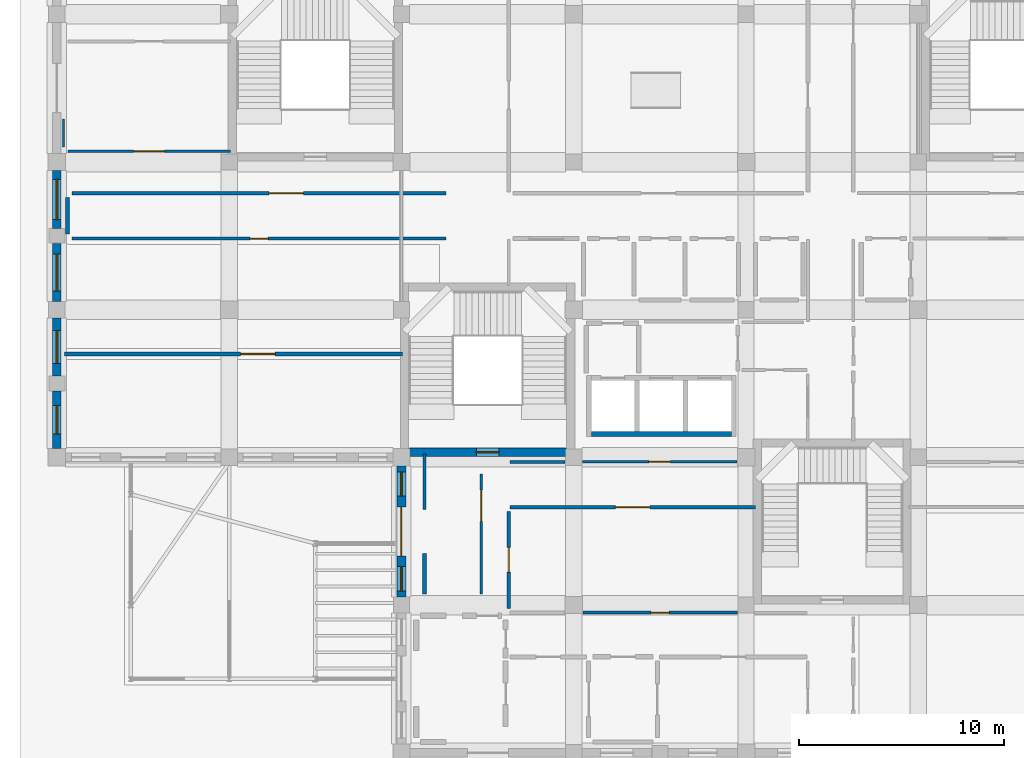
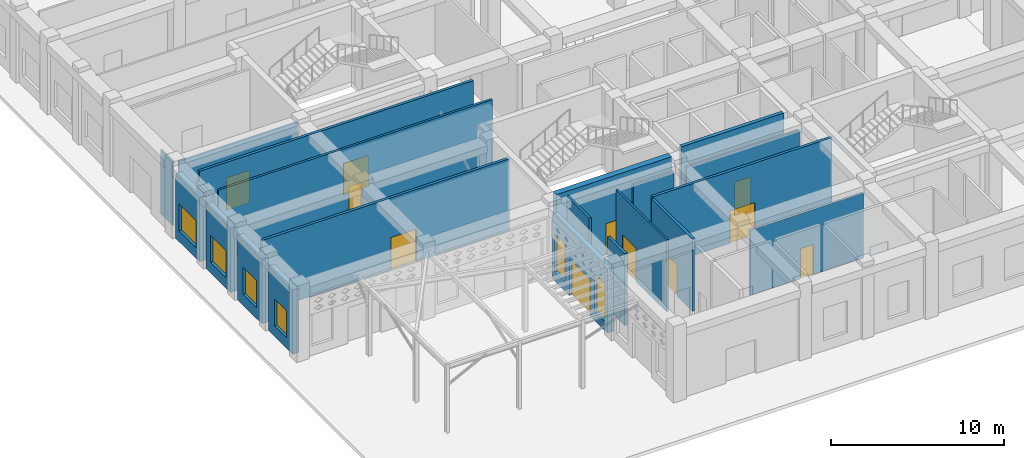
# One storey, part 60 of 84: 21 walls, 11 doors, 6 windows, 17 openings.
"""IFC4 building model written with IfcOpenShell, lengths in metres."""

import ifcopenshell
import ifcopenshell.guid

model = None  # the IFC model being written
_history = None  # IfcOwnerHistory: only IFC2X3 demands one
_inside = {}  # id of a spatial element -> (the spatial element, [elements in it])
_under = {}  # id of a project, library or spatial element -> (it, [spatial elements below it])
_declared = {}  # id of a project -> (the project, [libraries it declares])
_typed = {}  # id of a type object -> (the type object, [elements of that type])
_made_of = {}  # id of a material, layer set ... -> (it, [elements and type objects made of it])


def new_model(schema):
    """Start an empty IFC model of exactly this schema.

    Asked for "IFC4X3", IfcOpenShell would pick the latest addendum, in which some entities
    have other attributes; the version numbers below select the first issue.
    IFC2X3 requires an IfcOwnerHistory on every rooted entity: one is made here for all.
    """
    global model, _history
    if schema == "IFC4X3":
        model = ifcopenshell.file(schema_version=(4, 3, 0, 0))
    else:
        model = ifcopenshell.file(schema=schema)
    _inside.clear()
    _under.clear()
    _declared.clear()
    _typed.clear()
    _made_of.clear()
    _history = None
    if model.schema == "IFC2X3":
        org = make("IfcOrganization", Name="unknown")
        user = make(
            "IfcPersonAndOrganization",
            ThePerson=make("IfcPerson", FamilyName="unknown"),
            TheOrganization=org,
        )
        app = make(
            "IfcApplication",
            ApplicationDeveloper=org,
            Version="unknown",
            ApplicationFullName="unknown",
            ApplicationIdentifier="unknown",
        )
        _history = make(
            "IfcOwnerHistory",
            OwningUser=user,
            OwningApplication=app,
            ChangeAction="ADDED",
            CreationDate=0,
        )
    return model


def make(cls, **values):
    """One entity of the class cls with the attributes given. An attribute that is None is left unset."""
    return model.create_entity(
        cls, **{name: value for name, value in values.items() if value is not None}
    )


def rooted(cls, **values):
    """An entity with a GlobalId (a new one), such as an element, a storey or a relation."""
    return make(cls, GlobalId=ifcopenshell.guid.new(), OwnerHistory=_history, **values)


def si_unit(unit_type, name, prefix=None):
    """IfcSIUnit, for example si_unit("LENGTHUNIT", "METRE", prefix="MILLI")."""
    return make("IfcSIUnit", UnitType=unit_type, Prefix=prefix, Name=name)


def derived_unit(unit_type, elements):
    """IfcDerivedUnit: a product of units, each with its exponent."""
    return make(
        "IfcDerivedUnit",
        Elements=[
            make("IfcDerivedUnitElement", Unit=unit, Exponent=power)
            for unit, power in elements
        ],
        UnitType=unit_type,
    )


def assignment(units):
    """IfcUnitAssignment: the units of a project."""
    return None if units is None else make("IfcUnitAssignment", Units=units)


def point(xyz):
    """IfcCartesianPoint."""
    return None if xyz is None else make("IfcCartesianPoint", Coordinates=xyz)


def direction(xyz):
    """IfcDirection."""
    return None if xyz is None else make("IfcDirection", DirectionRatios=xyz)


def frame(location, z_axis=None, x_axis=None):
    """IfcAxis2Placement3D, a coordinate frame: its origin and axes. An axis left out is left unset."""
    return make(
        "IfcAxis2Placement3D",
        Location=point(location),
        Axis=direction(z_axis),
        RefDirection=direction(x_axis),
    )


def frame_2d(location, x_axis=None):
    """IfcAxis2Placement2D, a coordinate frame in the plane: its origin and x axis."""
    return make(
        "IfcAxis2Placement2D", Location=point(location), RefDirection=direction(x_axis)
    )


def origin():
    """The frame at (0, 0, 0) with its axes left unset."""
    return frame((0.0, 0.0, 0.0))


def place(relative_to, where):
    """IfcLocalPlacement: puts the frame where relative to a parent placement (None: the world)."""
    return make(
        "IfcLocalPlacement", PlacementRelTo=relative_to, RelativePlacement=where
    )


def context(
    kind, dimensions, precision=None, world=None, true_north=None, identifier=None
):
    """IfcGeometricRepresentationContext, for example the 3D "Model" context."""
    return make(
        "IfcGeometricRepresentationContext",
        ContextIdentifier=identifier,
        ContextType=kind,
        CoordinateSpaceDimension=dimensions,
        Precision=precision,
        WorldCoordinateSystem=world,
        TrueNorth=true_north,
    )


def subcontext(parent, identifier, kind, view, scale=None):
    """IfcGeometricRepresentationSubContext, for example "Body" below "Model"."""
    return make(
        "IfcGeometricRepresentationSubContext",
        ContextIdentifier=identifier,
        ContextType=kind,
        ParentContext=parent,
        TargetScale=scale,
        TargetView=view,
    )


def project(units=None, contexts=None):
    """IfcProject with its units and contexts."""
    return rooted(
        "IfcProject",
        Name="project",
        RepresentationContexts=contexts,
        UnitsInContext=assignment(units),
    )


def spatial(cls, under=None, at=None, **own):
    """A site, building, storey or space (cls), placed at a placement, below another one or the project."""
    s = rooted(cls, ObjectPlacement=at, **own)
    if under is not None:
        _under.setdefault(under.id(), (under, []))[1].append(s)
    return s


def profile(cls, at=None, kind="AREA", **sizes):
    """A parametric profile (cls). Its sizes go by their IFC names, for example OverallWidth=200.0."""
    return make(cls, ProfileType=kind, Position=at, **sizes)


def rectangle(**sizes):
    """IfcRectangleProfileDef."""
    return profile("IfcRectangleProfileDef", **sizes)


def extrude(swept, where, along, depth):
    """IfcExtrudedAreaSolid: the profile swept, set in the frame where, extruded along a direction by depth."""
    return make(
        "IfcExtrudedAreaSolid",
        SweptArea=swept,
        Position=where,
        ExtrudedDirection=direction(along),
        Depth=depth,
    )


def shape(context_of_items, identifier, shape_type, items):
    """IfcShapeRepresentation: the items that make up one representation, for example the "Body"."""
    return make(
        "IfcShapeRepresentation",
        ContextOfItems=context_of_items,
        RepresentationIdentifier=identifier,
        RepresentationType=shape_type,
        Items=items,
    )


def material(Name=None, Category=None):
    """IfcMaterial."""
    return make("IfcMaterial", Name=Name, Category=Category)


def layer(
    of_material, thickness, ventilated=None, Name=None, Category=None, Priority=None
):
    """IfcMaterialLayer: one layer of a wall or slab, of a material (None: an air gap)."""
    return make(
        "IfcMaterialLayer",
        Material=of_material,
        LayerThickness=thickness,
        IsVentilated=ventilated,
        Name=Name,
        Category=Category,
        Priority=Priority,
    )


def layer_set(layers, Name=None):
    """IfcMaterialLayerSet."""
    return make("IfcMaterialLayerSet", MaterialLayers=layers, LayerSetName=Name)


def made_of(thing, what):
    """Note that an element or type object is made of a material, layer set ...; save() writes the relation."""
    if what is not None:
        _made_of.setdefault(what.id(), (what, []))[1].append(thing)
    return thing


def type_object(cls, material=None, **own):
    """A type object (cls), such as IfcWallType, which elements share."""
    return made_of(rooted(cls, **own), material)


def element(
    cls,
    number,
    at=None,
    inside=None,
    cuts=None,
    type_object=None,
    material=None,
    context=None,
    identifier="Body",
    shape_type=None,
    held_by="IfcProductDefinitionShape",
    body=None,
    shapes=None,
    **own,
):
    """One element of the class cls, such as IfcWall. Its Tag is "e" and its number.

    at: its placement. inside: the storey or other place that contains it. cuts: it is an
    opening in that element (IfcRelVoidsElement). A single representation is given by context,
    identifier, shape_type and body (its items); several are given by shapes. held_by: the class
    of the entity that holds the representations. save() writes the other relations.
    """
    e = rooted(cls, Tag="e%d" % number, ObjectPlacement=at, **own)
    if body is not None:
        shapes = [shape(context, identifier, shape_type, body)]
    if shapes is not None:
        e.Representation = make(held_by, Representations=shapes)
    if inside is not None:
        _inside.setdefault(inside.id(), (inside, []))[1].append(e)
    if cuts is not None:
        rooted(
            "IfcRelVoidsElement", RelatingBuildingElement=cuts, RelatedOpeningElement=e
        )
    if type_object is not None:
        _typed.setdefault(type_object.id(), (type_object, []))[1].append(e)
    return made_of(e, material)


def fill(opening, filler):
    """IfcRelFillsElement: the door or window that sits in an opening."""
    return rooted(
        "IfcRelFillsElement",
        RelatingOpeningElement=opening,
        RelatedBuildingElement=filler,
    )


def aggregate(whole, parts):
    """IfcRelAggregates: a whole, such as a stair, and the parts it consists of."""
    return rooted("IfcRelAggregates", RelatingObject=whole, RelatedObjects=parts)


def save(model, path):
    """Write the relations noted so far, then the file.

    IfcRelAggregates (storeys below a building ...), IfcRelContainedInSpatialStructure (elements
    in a storey), IfcRelDefinesByType, IfcRelAssociatesMaterial and IfcRelDeclares: one each for
    every whole, place, type object, material and project.
    """
    for whole, parts in _under.values():
        aggregate(whole, parts)
    for where, things in _inside.values():
        rooted(
            "IfcRelContainedInSpatialStructure",
            RelatedElements=things,
            RelatingStructure=where,
        )
    for kind, things in _typed.values():
        rooted("IfcRelDefinesByType", RelatedObjects=things, RelatingType=kind)
    for what, things in _made_of.values():
        rooted("IfcRelAssociatesMaterial", RelatedObjects=things, RelatingMaterial=what)
    for by, libraries in _declared.values():
        rooted("IfcRelDeclares", RelatingContext=by, RelatedDefinitions=libraries)
    model.write(path)


model = new_model("IFC4")

# Units and contexts
model_context = context("Model", 3, precision=1e-05, world=origin(), true_north=direction((0.0, 1.0)))
body_context = subcontext(model_context, "Body", "Model", "MODEL_VIEW")
ifc_project = project(units=[si_unit("LENGTHUNIT", "METRE"), si_unit("AREAUNIT", "SQUARE_METRE"), si_unit("VOLUMEUNIT", "CUBIC_METRE"), si_unit("PLANEANGLEUNIT", "RADIAN"), si_unit("MASSUNIT", "GRAM", prefix="KILO"), derived_unit("THERMALTRANSMITTANCEUNIT", [(si_unit("POWERUNIT", "WATT"), 1), (si_unit("LENGTHUNIT", "METRE"), -2), (si_unit("THERMODYNAMICTEMPERATUREUNIT", "KELVIN"), -1)])], contexts=[model_context])

# Site, building, storey
site_placement = place(None, origin())
site = spatial("IfcSite", under=ifc_project, at=site_placement, CompositionType="ELEMENT")
building_placement = place(site_placement, origin())
building = spatial("IfcBuilding", under=site, at=building_placement, Name="Veybourne Emporium", CompositionType="ELEMENT")
storey_placement = place(building_placement, origin())
storey = spatial("IfcBuildingStorey", under=building, at=storey_placement, Name="L00", CompositionType="ELEMENT", Elevation=0.0)

# Wall, opening, window
ifc_material_1 = material(Name="Honed Black Granite Plinth", Category="masonry")
ifc_layer_1 = layer(ifc_material_1, 0.419921875)
ifc_layer_set_1 = layer_set([ifc_layer_1], Name="Honed Black Granite Plinth")
wall_type_1 = type_object("IfcWallType", Name="ExtWall_EW-02", PredefinedType="SOLIDWALL", material=ifc_layer_set_1)
wall_1_placement = place(storey_placement, frame((0.0, 14.824951171875, 0.0), z_axis=(0.0, 0.0, 1.0), x_axis=(0.0, 1.0, 0.0)))
wall_1 = element("IfcWall", 1, at=wall_1_placement, inside=storey, type_object=wall_type_1, Name="L00 Portland stone external wall 002A", PredefinedType="SOLIDWALL", context=body_context, shape_type="SweptSolid", body=[
    extrude(rectangle(XDim=2.804931640625, YDim=0.419921875, at=frame_2d((1.40234375, 0.0))), origin(), (0.0, 0.0, 1.0), 4.530029296875),
])
opening_1_placement = place(wall_1_placement, frame((0.702392578125, 0.0, 0.75)))
opening_1 = element("IfcOpeningElement", 2, at=opening_1_placement, cuts=wall_1, Name="Opening W-02", PredefinedType="OPENING", context=body_context, shape_type="SweptSolid", body=[
    extrude(rectangle(XDim=1.39990234375, YDim=1.89990234375, at=frame_2d((0.699951171875, 0.949951171875))), frame((0.0, 0.22998046875, 0.0), z_axis=(0.0, -1.0, 0.0), x_axis=(1.0, 0.0, 0.0)), (0.0, 0.0, 1.0), 0.4599609375),
])
ifc_material_2 = material(Name="Low-E Triple Glazing", Category="glass")
window_type_1 = type_object("IfcWindowType", Name="Win_W-02", PartitioningType="DOUBLE_PANEL_VERTICAL", PredefinedType="WINDOW", material=ifc_material_2)
window_1_placement = place(opening_1_placement, origin())
window_1 = element("IfcWindow", 3, at=window_1_placement, inside=storey, type_object=window_type_1, Name="L00 tripartite bronze casement window W-02 (2A)", OverallHeight=1.89990234375, OverallWidth=1.39990234375, PartitioningType="DOUBLE_PANEL_VERTICAL", PredefinedType="WINDOW", context=body_context, shape_type="SweptSolid", body=[
    extrude(rectangle(XDim=1.39990234375, YDim=1.89990234375, at=frame_2d((0.699951171875, 0.949951171875))), frame((0.0, 0.030029296875, 0.0), z_axis=(0.0, -1.0, 0.0), x_axis=(1.0, 0.0, 0.0)), (0.0, 0.0, 1.0), 0.06005859375),
])
fill(opening_1, window_1)

wall_2_placement = place(storey_placement, frame((0.0, 18.3701171875, 0.0), z_axis=(0.0, 0.0, 1.0), x_axis=(0.0, 1.0, 0.0)))
wall_2 = element("IfcWall", 4, at=wall_2_placement, inside=storey, type_object=wall_type_1, Name="L00 Portland stone external wall 002B", PredefinedType="SOLIDWALL", context=body_context, shape_type="SweptSolid", body=[
    extrude(rectangle(XDim=2.829833984375, YDim=0.419921875, at=frame_2d((1.4150390625, 0.0))), origin(), (0.0, 0.0, 1.0), 4.530029296875),
])
opening_2_placement = place(wall_2_placement, frame((0.614990234375, 0.0, 0.75)))
opening_2 = element("IfcOpeningElement", 5, at=opening_2_placement, cuts=wall_2, Name="Opening W-03", PredefinedType="OPENING", context=body_context, shape_type="SweptSolid", body=[
    extrude(rectangle(XDim=1.60009765625, YDim=1.89990234375, at=frame_2d((0.800048828125, 0.949951171875))), frame((0.0, 0.22998046875, 0.0), z_axis=(0.0, -1.0, 0.0), x_axis=(1.0, 0.0, 0.0)), (0.0, 0.0, 1.0), 0.4599609375),
])
window_type_2 = type_object("IfcWindowType", Name="Win_W-03", PartitioningType="DOUBLE_PANEL_VERTICAL", PredefinedType="WINDOW", material=ifc_material_2)
window_2_placement = place(opening_2_placement, origin())
window_2 = element("IfcWindow", 6, at=window_2_placement, inside=storey, type_object=window_type_2, Name="L00 tripartite bronze casement window W-03 (2B)", OverallHeight=1.89990234375, OverallWidth=1.60009765625, PartitioningType="DOUBLE_PANEL_VERTICAL", PredefinedType="WINDOW", context=body_context, shape_type="SweptSolid", body=[
    extrude(rectangle(XDim=1.60009765625, YDim=1.89990234375, at=frame_2d((0.800048828125, 0.949951171875))), frame((0.0, 0.030029296875, 0.0), z_axis=(0.0, -1.0, 0.0), x_axis=(1.0, 0.0, 0.0)), (0.0, 0.0, 1.0), 0.06005859375),
])
fill(opening_2, window_2)

wall_3_placement = place(storey_placement, frame((0.0, 22.0, 0.0), z_axis=(0.0, 0.0, 1.0), x_axis=(0.0, 1.0, 0.0)))
wall_3 = element("IfcWall", 7, at=wall_3_placement, inside=storey, type_object=wall_type_1, Name="L00 Portland stone external wall 003A", PredefinedType="SOLIDWALL", context=body_context, shape_type="SweptSolid", body=[
    extrude(rectangle(XDim=2.830078125, YDim=0.419921875, at=frame_2d((1.4150390625, 0.0))), origin(), (0.0, 0.0, 1.0), 4.530029296875),
])
opening_3_placement = place(wall_3_placement, frame((0.514892578125, 0.0, 0.75)))
opening_3 = element("IfcOpeningElement", 8, at=opening_3_placement, cuts=wall_3, Name="Opening W-04", PredefinedType="OPENING", context=body_context, shape_type="SweptSolid", body=[
    extrude(rectangle(XDim=1.800048828125, YDim=1.89990234375, at=frame_2d((0.89990234375, 0.949951171875))), frame((0.0, 0.22998046875, 0.0), z_axis=(0.0, -1.0, 0.0), x_axis=(1.0, 0.0, 0.0)), (0.0, 0.0, 1.0), 0.4599609375),
])
window_type_3 = type_object("IfcWindowType", Name="Win_W-04", PartitioningType="DOUBLE_PANEL_VERTICAL", PredefinedType="WINDOW", material=ifc_material_2)
window_3_placement = place(opening_3_placement, origin())
window_3 = element("IfcWindow", 9, at=window_3_placement, inside=storey, type_object=window_type_3, Name="L00 tripartite bronze casement window W-04 (3A)", OverallHeight=1.89990234375, OverallWidth=1.800048828125, PartitioningType="DOUBLE_PANEL_VERTICAL", PredefinedType="WINDOW", context=body_context, shape_type="SweptSolid", body=[
    extrude(rectangle(XDim=1.800048828125, YDim=1.89990234375, at=frame_2d((0.89990234375, 0.949951171875))), frame((0.0, 0.030029296875, 0.0), z_axis=(0.0, -1.0, 0.0), x_axis=(1.0, 0.0, 0.0)), (0.0, 0.0, 1.0), 0.06005859375),
])
fill(opening_3, window_3)

wall_4_placement = place(storey_placement, frame((0.0, 25.570068359375, 0.0), z_axis=(0.0, 0.0, 1.0), x_axis=(0.0, 1.0, 0.0)))
wall_4 = element("IfcWall", 10, at=wall_4_placement, inside=storey, type_object=wall_type_1, Name="L00 Portland stone external wall 003B", PredefinedType="SOLIDWALL", context=body_context, shape_type="SweptSolid", body=[
    extrude(rectangle(XDim=2.804931640625, YDim=0.419921875, at=frame_2d((1.40234375, 0.0))), origin(), (0.0, 0.0, 1.0), 4.530029296875),
])
opening_4_placement = place(wall_4_placement, frame((0.422607421875, 0.0, 0.75)))
opening_4 = element("IfcOpeningElement", 11, at=opening_4_placement, cuts=wall_4, Name="Opening W-05", PredefinedType="OPENING", context=body_context, shape_type="SweptSolid", body=[
    extrude(rectangle(XDim=1.9599609375, YDim=1.89990234375, at=frame_2d((0.97998046875, 0.949951171875))), frame((0.0, 0.22998046875, 0.0), z_axis=(0.0, -1.0, 0.0), x_axis=(1.0, 0.0, 0.0)), (0.0, 0.0, 1.0), 0.4599609375),
])
window_type_4 = type_object("IfcWindowType", Name="Win_W-05", PartitioningType="TRIPLE_PANEL_VERTICAL", PredefinedType="WINDOW", material=ifc_material_2)
window_4_placement = place(opening_4_placement, origin())
window_4 = element("IfcWindow", 12, at=window_4_placement, inside=storey, type_object=window_type_4, Name="L00 tripartite bronze casement window W-05 (3B)", OverallHeight=1.89990234375, OverallWidth=1.9599609375, PartitioningType="TRIPLE_PANEL_VERTICAL", PredefinedType="WINDOW", context=body_context, shape_type="SweptSolid", body=[
    extrude(rectangle(XDim=1.9599609375, YDim=1.89990234375, at=frame_2d((0.97998046875, 0.949951171875))), frame((0.0, 0.030029296875, 0.0), z_axis=(0.0, -1.0, 0.0), x_axis=(1.0, 0.0, 0.0)), (0.0, 0.0, 1.0), 0.06005859375),
])
fill(opening_4, window_4)

# Wall, openings, door, windows
wall_5_placement = place(storey_placement, frame((16.800048828125, 7.60009765625, 0.0), z_axis=(0.0, 0.0, 1.0), x_axis=(0.0, 1.0, 0.0)))
wall_5 = element("IfcWall", 13, at=wall_5_placement, inside=storey, type_object=wall_type_1, Name="Ground street granite plinth entrance wall 016", PredefinedType="SOLIDWALL", context=body_context, shape_type="SweptSolid", body=[
    extrude(rectangle(XDim=6.375, YDim=0.419921875, at=frame_2d((3.1875, 0.0))), origin(), (0.0, 0.0, 1.0), 4.530029296875),
])
opening_5_placement = place(wall_5_placement, frame((1.987548828125, 0.0, 0.0)))
opening_5 = element("IfcOpeningElement", 14, at=opening_5_placement, cuts=wall_5, Name="Opening EX-03", PredefinedType="OPENING", context=body_context, shape_type="SweptSolid", body=[
    extrude(rectangle(XDim=2.39990234375, YDim=2.60009765625, at=frame_2d((1.199951171875, 1.300048828125))), frame((0.0, 0.22998046875, 0.0), z_axis=(0.0, -1.0, 0.0), x_axis=(1.0, 0.0, 0.0)), (0.0, 0.0, 1.0), 0.4599609375),
])
opening_6_placement = place(wall_5_placement, frame((0.280029296875, 0.0, 0.64990234375)))
opening_6 = element("IfcOpeningElement", 15, at=opening_6_placement, cuts=wall_5, Name="Opening W-10", PredefinedType="OPENING", context=body_context, shape_type="SweptSolid", body=[
    extrude(rectangle(XDim=1.18994140625, YDim=2.679931640625, at=frame_2d((0.594970703125, 1.33984375))), frame((0.0, 0.22998046875, 0.0), z_axis=(0.0, -1.0, 0.0), x_axis=(1.0, 0.0, 0.0)), (0.0, 0.0, 1.0), 0.4599609375),
])
opening_7_placement = place(wall_5_placement, frame((4.905029296875, 0.0, 0.64990234375)))
opening_7 = element("IfcOpeningElement", 16, at=opening_7_placement, cuts=wall_5, Name="Opening W-10", PredefinedType="OPENING", context=body_context, shape_type="SweptSolid", body=[
    extrude(rectangle(XDim=1.18994140625, YDim=2.679931640625, at=frame_2d((0.594970703125, 1.33984375))), frame((0.0, 0.22998046875, 0.0), z_axis=(0.0, -1.0, 0.0), x_axis=(1.0, 0.0, 0.0)), (0.0, 0.0, 1.0), 0.4599609375),
])
ifc_material_3 = material(Name="Patinated Architectural Bronze", Category="bronze")
door_type_1 = type_object("IfcDoorType", Name="ExitDoor_EX-03", OperationType="DOUBLE_DOOR_SINGLE_SWING", PredefinedType="DOOR", material=ifc_material_3)
door_1_placement = place(opening_5_placement, origin())
door_1 = element("IfcDoor", 17, at=door_1_placement, inside=storey, type_object=door_type_1, Name="Pedestrian final exit door EX-03 #08", OperationType="DOUBLE_DOOR_SINGLE_SWING", OverallHeight=2.60009765625, OverallWidth=2.39990234375, PredefinedType="DOOR", context=body_context, shape_type="SweptSolid", body=[
    extrude(rectangle(XDim=2.39990234375, YDim=2.60009765625, at=frame_2d((1.199951171875, 1.300048828125))), frame((0.0, 0.02490234375, 0.0), z_axis=(0.0, -1.0, 0.0), x_axis=(1.0, 0.0, 0.0)), (0.0, 0.0, 1.0), 0.050048828125),
])
fill(opening_5, door_1)
window_type_5 = type_object("IfcWindowType", Name="Win_W-10", PartitioningType="DOUBLE_PANEL_VERTICAL", PredefinedType="WINDOW", material=ifc_material_2)
window_5_placement = place(opening_6_placement, origin())
window_5 = element("IfcWindow", 18, at=window_5_placement, inside=storey, type_object=window_type_5, Name="Corner entrance glazed sidelight L00-016.1", OverallHeight=2.679931640625, OverallWidth=1.18994140625, PartitioningType="DOUBLE_PANEL_VERTICAL", PredefinedType="WINDOW", context=body_context, shape_type="SweptSolid", body=[
    extrude(rectangle(XDim=1.18994140625, YDim=2.679931640625, at=frame_2d((0.594970703125, 1.33984375))), frame((0.0, 0.030029296875, 0.0), z_axis=(0.0, -1.0, 0.0), x_axis=(1.0, 0.0, 0.0)), (0.0, 0.0, 1.0), 0.06005859375),
])
fill(opening_6, window_5)
window_6_placement = place(opening_7_placement, origin())
window_6 = element("IfcWindow", 19, at=window_6_placement, inside=storey, type_object=window_type_5, Name="Corner entrance glazed sidelight L00-016.2", OverallHeight=2.679931640625, OverallWidth=1.18994140625, PartitioningType="DOUBLE_PANEL_VERTICAL", PredefinedType="WINDOW", context=body_context, shape_type="SweptSolid", body=[
    extrude(rectangle(XDim=1.18994140625, YDim=2.679931640625, at=frame_2d((0.594970703125, 1.33984375))), frame((0.0, 0.030029296875, 0.0), z_axis=(0.0, -1.0, 0.0), x_axis=(1.0, 0.0, 0.0)), (0.0, 0.0, 1.0), 0.06005859375),
])
fill(opening_7, window_6)

# Wall, opening, door
ifc_material_4 = material(Name="Concrete C40/50", Category="concrete")
ifc_layer_2 = layer(ifc_material_4, 0.39990234375)
ifc_layer_set_2 = layer_set([ifc_layer_2], Name="Concrete C40/50")
wall_type_2 = type_object("IfcWallType", Name="IntWall_CW-01", PredefinedType="SHEAR", material=ifc_layer_set_2)
wall_6_placement = place(storey_placement, frame((24.85009765625, 14.64990234375, 0.0), z_axis=(0.0, 0.0, 1.0), x_axis=(-1.0, 0.0, 0.0)))
wall_6 = element("IfcWall", 20, at=wall_6_placement, inside=storey, type_object=wall_type_2, Name="Core stair ST-01 south shear wall (L00)", PredefinedType="SHEAR", context=body_context, shape_type="SweptSolid", body=[
    extrude(rectangle(XDim=7.7001953125, YDim=0.39990234375, at=frame_2d((3.85009765625, 0.0))), origin(), (0.0, 0.0, 1.0), 5.39990234375),
])
opening_8_placement = place(wall_6_placement, frame((3.300048828125, 0.0, 0.0)))
opening_8 = element("IfcOpeningElement", 21, at=opening_8_placement, cuts=wall_6, Name="Opening FD-01", PredefinedType="OPENING", context=body_context, shape_type="SweptSolid", body=[
    extrude(rectangle(XDim=1.10009765625, YDim=2.199951171875, at=frame_2d((0.550048828125, 1.10009765625))), frame((0.0, 0.219970703125, 0.0), z_axis=(0.0, -1.0, 0.0), x_axis=(1.0, 0.0, 0.0)), (0.0, 0.0, 1.0), 0.43994140625),
])
door_type_2 = type_object("IfcDoorType", Name="FireDoor_FD-01", OperationType="NOTDEFINED", PredefinedType="DOOR", material=ifc_material_3)
door_2_placement = place(opening_8_placement, origin())
door_2 = element("IfcDoor", 22, at=door_2_placement, inside=storey, type_object=door_type_2, Name="Stair ST-01 fire door (L00)", OperationType="SINGLE_SWING_LEFT", OverallHeight=2.199951171875, OverallWidth=1.10009765625, PredefinedType="DOOR", context=body_context, shape_type="SweptSolid", body=[
    extrude(rectangle(XDim=1.10009765625, YDim=2.199951171875, at=frame_2d((0.550048828125, 1.10009765625))), frame((0.0, 0.02490234375, 0.0), z_axis=(0.0, -1.0, 0.0), x_axis=(1.0, 0.0, 0.0)), (0.0, 0.0, 1.0), 0.050048828125),
])
fill(opening_8, door_2)

# Wall
ifc_layer_3 = layer(ifc_material_4, 0.239990234375)
ifc_layer_set_3 = layer_set([ifc_layer_3], Name="Concrete C40/50")
wall_type_3 = type_object("IfcWallType", Name="IntWall_CW-04", PredefinedType="SHEAR", material=ifc_layer_set_3)
wall_7_placement = place(storey_placement, frame((26.06005859375, 15.530029296875, 0.0), z_axis=(0.0, 0.0, 1.0), x_axis=(1.0, 0.0, 0.0)))
element("IfcWall", 23, at=wall_7_placement, inside=storey, type_object=wall_type_3, Name="Lift core C1 south shaft wall (L00)", PredefinedType="SHEAR", context=body_context, shape_type="SweptSolid", body=[
    extrude(rectangle(XDim=6.81982421875, YDim=0.239990234375, at=frame_2d((3.409912109375, 0.0))), origin(), (0.0, 0.0, 1.0), 5.080078125),
])

# Wall, opening, door
ifc_material_5 = material(Name="Gypsum Acoustic Board", Category="gypsum")
ifc_layer_4 = layer(ifc_material_5, 0.179931640625)
ifc_layer_set_4 = layer_set([ifc_layer_4], Name="Gypsum Acoustic Board")
wall_type_4 = type_object("IfcWallType", Name="IntWall_IW-01", PredefinedType="PARTITIONING", material=ifc_layer_set_4)
wall_8_placement = place(storey_placement, frame((0.72998046875, 27.280029296875, 0.0), z_axis=(0.0, 0.0, 1.0), x_axis=(1.0, 0.0, 0.0)))
wall_8 = element("IfcWall", 24, at=wall_8_placement, inside=storey, type_object=wall_type_4, Name="L00 interior partition IW-01 #014", PredefinedType="PARTITIONING", context=body_context, shape_type="SweptSolid", body=[
    extrude(rectangle(XDim=18.2529296875, YDim=0.179931640625, at=frame_2d((9.12646484375, 0.0))), origin(), (0.0, 0.0, 1.0), 5.080078125),
])
opening_9_placement = place(wall_8_placement, frame((9.6123046875, 0.0, 0.0)))
opening_9 = element("IfcOpeningElement", 25, at=opening_9_placement, cuts=wall_8, Name="Opening D-18", PredefinedType="OPENING", context=body_context, shape_type="SweptSolid", body=[
    extrude(rectangle(XDim=1.679931640625, YDim=2.2099609375, at=frame_2d((0.83984375, 1.10498046875))), frame((0.0, 0.10986328125, 0.0), z_axis=(0.0, -1.0, 0.0), x_axis=(1.0, 0.0, 0.0)), (0.0, 0.0, 1.0), 0.219970703125),
])
ifc_material_6 = material(Name="European Oak Veneer and Bronze", Category="wood")
door_type_3 = type_object("IfcDoorType", Name="IntDoor_D-18", OperationType="DOUBLE_DOOR_SINGLE_SWING", PredefinedType="DOOR", material=ifc_material_6)
door_3_placement = place(opening_9_placement, origin())
door_3 = element("IfcDoor", 26, at=door_3_placement, inside=storey, type_object=door_type_3, Name="L00 interior door D-18 (PART-L00-014)", OperationType="DOUBLE_DOOR_SINGLE_SWING", OverallHeight=2.2099609375, OverallWidth=1.679931640625, PredefinedType="DOOR", context=body_context, shape_type="SweptSolid", body=[
    extrude(rectangle(XDim=1.679931640625, YDim=2.2099609375, at=frame_2d((0.83984375, 1.10498046875))), frame((0.0, 0.02490234375, 0.0), z_axis=(0.0, -1.0, 0.0), x_axis=(1.0, 0.0, 0.0)), (0.0, 0.0, 1.0), 0.050048828125),
])
fill(opening_9, door_3)

wall_9_placement = place(storey_placement, frame((22.080078125, 11.969970703125, 0.0), z_axis=(0.0, 0.0, 1.0), x_axis=(1.0, 0.0, 0.0)))
wall_9 = element("IfcWall", 27, at=wall_9_placement, inside=storey, type_object=wall_type_4, Name="L00 interior partition IW-01 #056", PredefinedType="PARTITIONING", context=body_context, shape_type="SweptSolid", body=[
    extrude(rectangle(XDim=11.97998046875, YDim=0.179931640625, at=frame_2d((5.989990234375, 0.0))), origin(), (0.0, 0.0, 1.0), 5.080078125),
])
opening_10_placement = place(wall_9_placement, frame((5.14990234375, 0.0, 0.0)))
opening_10 = element("IfcOpeningElement", 28, at=opening_10_placement, cuts=wall_9, Name="Opening D-24", PredefinedType="OPENING", context=body_context, shape_type="SweptSolid", body=[
    extrude(rectangle(XDim=1.679931640625, YDim=2.2900390625, at=frame_2d((0.83984375, 1.14501953125))), frame((0.0, 0.10986328125, 0.0), z_axis=(0.0, -1.0, 0.0), x_axis=(1.0, 0.0, 0.0)), (0.0, 0.0, 1.0), 0.219970703125),
])
door_type_4 = type_object("IfcDoorType", Name="IntDoor_D-24", OperationType="DOUBLE_DOOR_SINGLE_SWING", PredefinedType="DOOR", material=ifc_material_6)
door_4_placement = place(opening_10_placement, frame((1.679931640625, 0.0, 0.0), z_axis=(0.0, 0.0, 1.0), x_axis=(-1.0, 0.0, 0.0)))
door_4 = element("IfcDoor", 29, at=door_4_placement, inside=storey, type_object=door_type_4, Name="L00 interior door D-24 (PART-L00-056)", OperationType="DOUBLE_DOOR_SINGLE_SWING", OverallHeight=2.2900390625, OverallWidth=1.679931640625, PredefinedType="DOOR", context=body_context, shape_type="SweptSolid", body=[
    extrude(rectangle(XDim=1.679931640625, YDim=2.2900390625, at=frame_2d((0.83984375, 1.14501953125))), frame((0.0, 0.02490234375, 0.0), z_axis=(0.0, -1.0, 0.0), x_axis=(1.0, 0.0, 0.0)), (0.0, 0.0, 1.0), 0.050048828125),
])
fill(opening_10, door_4)

# Wall
wall_10_placement = place(storey_placement, frame((17.919921875, 7.72998046875, 0.0), z_axis=(0.0, 0.0, 1.0), x_axis=(0.0, 1.0, 0.0)))
element("IfcWall", 30, at=wall_10_placement, inside=storey, type_object=wall_type_4, Name="L00 interior partition IW-01 #098", PredefinedType="PARTITIONING", context=body_context, shape_type="SweptSolid", body=[
    extrude(rectangle(XDim=1.988037109375, YDim=0.179931640625, at=frame_2d((0.994140625, 0.0))), origin(), (0.0, 0.0, 1.0), 5.080078125),
])

# Wall, opening, door
wall_11_placement = place(storey_placement, frame((22.030029296875, 7.0400390625, 0.0), z_axis=(0.0, 0.0, 1.0), x_axis=(0.0, 1.0, 0.0)))
wall_11 = element("IfcWall", 31, at=wall_11_placement, inside=storey, type_object=wall_type_4, Name="L00 interior partition IW-01 #119", PredefinedType="PARTITIONING", context=body_context, shape_type="SweptSolid", body=[
    extrude(rectangle(XDim=4.719970703125, YDim=0.179931640625, at=frame_2d((2.35986328125, 0.0))), origin(), (0.0, 0.0, 1.0), 5.080078125),
])
opening_11_placement = place(wall_11_placement, frame((1.760009765625, 0.0, 0.0)))
opening_11 = element("IfcOpeningElement", 32, at=opening_11_placement, cuts=wall_11, Name="Opening D-15", PredefinedType="OPENING", context=body_context, shape_type="SweptSolid", body=[
    extrude(rectangle(XDim=1.199951171875, YDim=2.2099609375, at=frame_2d((0.60009765625, 1.10498046875))), frame((0.0, 0.10986328125, 0.0), z_axis=(0.0, -1.0, 0.0), x_axis=(1.0, 0.0, 0.0)), (0.0, 0.0, 1.0), 0.219970703125),
])
door_type_5 = type_object("IfcDoorType", Name="IntDoor_D-15", OperationType="NOTDEFINED", PredefinedType="DOOR", material=ifc_material_6)
door_5_placement = place(opening_11_placement, frame((1.199951171875, 0.0, 0.0), z_axis=(0.0, 0.0, 1.0), x_axis=(-1.0, 0.0, 0.0)))
door_5 = element("IfcDoor", 33, at=door_5_placement, inside=storey, type_object=door_type_5, Name="L00 interior door D-15 (PART-L00-119)", OperationType="SINGLE_SWING_LEFT", OverallHeight=2.2099609375, OverallWidth=1.199951171875, PredefinedType="DOOR", context=body_context, shape_type="SweptSolid", body=[
    extrude(rectangle(XDim=1.199951171875, YDim=2.2099609375, at=frame_2d((0.60009765625, 1.10498046875))), frame((0.0, 0.02490234375, 0.0), z_axis=(0.0, -1.0, 0.0), x_axis=(1.0, 0.0, 0.0)), (0.0, 0.0, 1.0), 0.050048828125),
])
fill(opening_11, door_5)

# Wall
wall_12_placement = place(storey_placement, frame((0.52001953125, 25.280029296875, 0.0), z_axis=(0.0, 0.0, 1.0), x_axis=(0.0, 1.0, 0.0)))
element("IfcWall", 34, at=wall_12_placement, inside=storey, type_object=wall_type_4, Name="L00 interior partition IW-01 #185", PredefinedType="PARTITIONING", context=body_context, shape_type="SweptSolid", body=[
    extrude(rectangle(XDim=1.7900390625, YDim=0.179931640625, at=frame_2d((0.89501953125, 0.0))), origin(), (0.0, 0.0, 1.0), 4.530029296875),
])

# Wall, opening, door
wall_13_placement = place(storey_placement, frame((0.3701171875, 19.43994140625, 0.0), z_axis=(0.0, 0.0, 1.0), x_axis=(1.0, 0.0, 0.0)))
wall_13 = element("IfcWall", 35, at=wall_13_placement, inside=storey, type_object=wall_type_4, Name="L00 interior partition IW-01 #206", PredefinedType="PARTITIONING", context=body_context, shape_type="SweptSolid", body=[
    extrude(rectangle(XDim=16.489990234375, YDim=0.179931640625, at=frame_2d((8.2451171875, 0.0))), origin(), (0.0, 0.0, 1.0), 5.080078125),
])
opening_12_placement = place(wall_13_placement, frame((8.58984375, 0.0, 0.0)))
opening_12 = element("IfcOpeningElement", 36, at=opening_12_placement, cuts=wall_13, Name="Opening D-24", PredefinedType="OPENING", context=body_context, shape_type="SweptSolid", body=[
    extrude(rectangle(XDim=1.679931640625, YDim=2.2900390625, at=frame_2d((0.83984375, 1.14501953125))), frame((0.0, 0.10986328125, 0.0), z_axis=(0.0, -1.0, 0.0), x_axis=(1.0, 0.0, 0.0)), (0.0, 0.0, 1.0), 0.219970703125),
])
door_6_placement = place(opening_12_placement, origin())
door_6 = element("IfcDoor", 37, at=door_6_placement, inside=storey, type_object=door_type_4, Name="L00 interior door D-24 (PART-L00-206)", OperationType="DOUBLE_DOOR_SINGLE_SWING", OverallHeight=2.2900390625, OverallWidth=1.679931640625, PredefinedType="DOOR", context=body_context, shape_type="SweptSolid", body=[
    extrude(rectangle(XDim=1.679931640625, YDim=2.2900390625, at=frame_2d((0.83984375, 1.14501953125))), frame((0.0, 0.02490234375, 0.0), z_axis=(0.0, -1.0, 0.0), x_axis=(1.0, 0.0, 0.0)), (0.0, 0.0, 1.0), 0.050048828125),
])
fill(opening_12, door_6)

ifc_layer_5 = layer(ifc_material_5, 0.14990234375)
ifc_layer_set_5 = layer_set([ifc_layer_5], Name="Gypsum Acoustic Board")
wall_type_5 = type_object("IfcWallType", Name="IntWall_IW-02", PredefinedType="PARTITIONING", material=ifc_layer_set_5)
wall_14_placement = place(storey_placement, frame((0.72998046875, 25.070068359375, 0.0), z_axis=(0.0, 0.0, 1.0), x_axis=(1.0, 0.0, 0.0)))
wall_14 = element("IfcWall", 38, at=wall_14_placement, inside=storey, type_object=wall_type_5, Name="L00 interior partition IW-02 #015", PredefinedType="PARTITIONING", context=body_context, shape_type="SweptSolid", body=[
    extrude(rectangle(XDim=18.2529296875, YDim=0.14990234375, at=frame_2d((9.12646484375, 0.0))), origin(), (0.0, 0.0, 1.0), 5.080078125),
])
opening_13_placement = place(wall_14_placement, frame((8.6865234375, 0.0, 0.0)))
opening_13 = element("IfcOpeningElement", 39, at=opening_13_placement, cuts=wall_14, Name="Opening D-19", PredefinedType="OPENING", context=body_context, shape_type="SweptSolid", body=[
    extrude(rectangle(XDim=0.8798828125, YDim=2.2900390625, at=frame_2d((0.43994140625, 1.14501953125))), frame((0.0, 0.094970703125, 0.0), z_axis=(0.0, -1.0, 0.0), x_axis=(1.0, 0.0, 0.0)), (0.0, 0.0, 1.0), 0.18994140625),
])
door_type_6 = type_object("IfcDoorType", Name="IntDoor_D-19", OperationType="NOTDEFINED", PredefinedType="DOOR", material=ifc_material_6)
door_7_placement = place(opening_13_placement, frame((0.8798828125, 0.0, 0.0), z_axis=(0.0, 0.0, 1.0), x_axis=(-1.0, 0.0, 0.0)))
door_7 = element("IfcDoor", 40, at=door_7_placement, inside=storey, type_object=door_type_6, Name="L00 interior door D-19 (PART-L00-015)", OperationType="SINGLE_SWING_RIGHT", OverallHeight=2.2900390625, OverallWidth=0.8798828125, PredefinedType="DOOR", context=body_context, shape_type="SweptSolid", body=[
    extrude(rectangle(XDim=0.8798828125, YDim=2.2900390625, at=frame_2d((0.43994140625, 1.14501953125))), frame((0.0, 0.02490234375, 0.0), z_axis=(0.0, -1.0, 0.0), x_axis=(1.0, 0.0, 0.0)), (0.0, 0.0, 1.0), 0.050048828125),
])
fill(opening_13, door_7)

wall_15_placement = place(storey_placement, frame((25.64501953125, 6.830078125, 0.0), z_axis=(0.0, 0.0, 1.0), x_axis=(1.0, 0.0, 0.0)))
wall_15 = element("IfcWall", 41, at=wall_15_placement, inside=storey, type_object=wall_type_5, Name="L00 interior partition IW-02 #039", PredefinedType="PARTITIONING", context=body_context, shape_type="SweptSolid", body=[
    extrude(rectangle(XDim=7.534912109375, YDim=0.14990234375, at=frame_2d((3.767578125, 0.0))), origin(), (0.0, 0.0, 1.0), 4.580078125),
])
opening_14_placement = place(wall_15_placement, frame((3.327392578125, 0.0, 0.0)))
opening_14 = element("IfcOpeningElement", 42, at=opening_14_placement, cuts=wall_15, Name="Opening D-07", PredefinedType="OPENING", context=body_context, shape_type="SweptSolid", body=[
    extrude(rectangle(XDim=0.8798828125, YDim=2.1298828125, at=frame_2d((0.43994140625, 1.06494140625))), frame((0.0, 0.094970703125, 0.0), z_axis=(0.0, -1.0, 0.0), x_axis=(1.0, 0.0, 0.0)), (0.0, 0.0, 1.0), 0.18994140625),
])
door_type_7 = type_object("IfcDoorType", Name="IntDoor_D-07", OperationType="NOTDEFINED", PredefinedType="DOOR", material=ifc_material_6)
door_8_placement = place(opening_14_placement, origin())
door_8 = element("IfcDoor", 43, at=door_8_placement, inside=storey, type_object=door_type_7, Name="L00 interior door D-07 (PART-L00-039)", OperationType="SINGLE_SWING_LEFT", OverallHeight=2.1298828125, OverallWidth=0.8798828125, PredefinedType="DOOR", context=body_context, shape_type="SweptSolid", body=[
    extrude(rectangle(XDim=0.8798828125, YDim=2.1298828125, at=frame_2d((0.43994140625, 1.06494140625))), frame((0.0, 0.02490234375, 0.0), z_axis=(0.0, -1.0, 0.0), x_axis=(1.0, 0.0, 0.0)), (0.0, 0.0, 1.0), 0.050048828125),
])
fill(opening_14, door_8)

# Walls
wall_16_placement = place(storey_placement, frame((22.080078125, 14.179931640625, 0.0), z_axis=(0.0, 0.0, 1.0), x_axis=(1.0, 0.0, 0.0)))
element("IfcWall", 44, at=wall_16_placement, inside=storey, type_object=wall_type_5, Name="L00 interior partition IW-02 #057", PredefinedType="PARTITIONING", context=body_context, shape_type="SweptSolid", body=[
    extrude(rectangle(XDim=2.699951171875, YDim=0.14990234375, at=frame_2d((1.35009765625, 0.0))), origin(), (0.0, 0.0, 1.0), 4.580078125),
])
wall_17_placement = place(storey_placement, frame((17.919921875, 11.857177734375, 0.0), z_axis=(0.0, 0.0, 1.0), x_axis=(0.0, 1.0, 0.0)))
element("IfcWall", 45, at=wall_17_placement, inside=storey, type_object=wall_type_5, Name="L00 interior partition IW-02 #099", PredefinedType="PARTITIONING", context=body_context, shape_type="SweptSolid", body=[
    extrude(rectangle(XDim=2.702880859375, YDim=0.14990234375, at=frame_2d((1.3515625, 0.0))), origin(), (0.0, 0.0, 1.0), 5.080078125),
])

# Wall, opening, door
ifc_layer_6 = layer(ifc_material_5, 0.1201171875)
ifc_layer_set_6 = layer_set([ifc_layer_6], Name="Gypsum Acoustic Board")
wall_type_6 = type_object("IfcWallType", Name="IntWall_IW-03", PredefinedType="PARTITIONING", material=ifc_layer_set_6)
wall_18_placement = place(storey_placement, frame((25.6201171875, 14.179931640625, 0.0), z_axis=(0.0, 0.0, 1.0), x_axis=(1.0, 0.0, 0.0)))
wall_18 = element("IfcWall", 46, at=wall_18_placement, inside=storey, type_object=wall_type_6, Name="L00 interior partition IW-03 #058", PredefinedType="PARTITIONING", context=body_context, shape_type="SweptSolid", body=[
    extrude(rectangle(XDim=7.534912109375, YDim=0.1201171875, at=frame_2d((3.767578125, 0.0))), origin(), (0.0, 0.0, 1.0), 4.580078125),
])
opening_15_placement = place(wall_18_placement, frame((3.24755859375, 0.0, 0.0)))
opening_15 = element("IfcOpeningElement", 47, at=opening_15_placement, cuts=wall_18, Name="Opening D-26", PredefinedType="OPENING", context=body_context, shape_type="SweptSolid", body=[
    extrude(rectangle(XDim=1.0400390625, YDim=2.3701171875, at=frame_2d((0.52001953125, 1.18505859375))), frame((0.0, 0.080078125, 0.0), z_axis=(0.0, -1.0, 0.0), x_axis=(1.0, 0.0, 0.0)), (0.0, 0.0, 1.0), 0.16015625),
])
door_type_8 = type_object("IfcDoorType", Name="IntDoor_D-26", OperationType="NOTDEFINED", PredefinedType="DOOR", material=ifc_material_6)
door_9_placement = place(opening_15_placement, origin())
door_9 = element("IfcDoor", 48, at=door_9_placement, inside=storey, type_object=door_type_8, Name="L00 interior door D-26 (PART-L00-058)", OperationType="SINGLE_SWING_RIGHT", OverallHeight=2.3701171875, OverallWidth=1.0400390625, PredefinedType="DOOR", context=body_context, shape_type="SweptSolid", body=[
    extrude(rectangle(XDim=1.0400390625, YDim=2.3701171875, at=frame_2d((0.52001953125, 1.18505859375))), frame((0.0, 0.02490234375, 0.0), z_axis=(0.0, -1.0, 0.0), x_axis=(1.0, 0.0, 0.0)), (0.0, 0.0, 1.0), 0.050048828125),
])
fill(opening_15, door_9)

wall_19_placement = place(storey_placement, frame((0.530029296875, 29.320068359375, 0.0), z_axis=(0.0, 0.0, 1.0), x_axis=(1.0, 0.0, 0.0)))
wall_19 = element("IfcWall", 49, at=wall_19_placement, inside=storey, type_object=wall_type_6, Name="L00 interior partition IW-03 #091", PredefinedType="PARTITIONING", context=body_context, shape_type="SweptSolid", body=[
    extrude(rectangle(XDim=7.929931640625, YDim=0.1201171875, at=frame_2d((3.96484375, 0.0))), origin(), (0.0, 0.0, 1.0), 4.580078125),
])
opening_16_placement = place(wall_19_placement, frame((3.205078125, 0.0, 0.0)))
opening_16 = element("IfcOpeningElement", 50, at=opening_16_placement, cuts=wall_19, Name="Opening D-23", PredefinedType="OPENING", context=body_context, shape_type="SweptSolid", body=[
    extrude(rectangle(XDim=1.52001953125, YDim=2.2900390625, at=frame_2d((0.760009765625, 1.14501953125))), frame((0.0, 0.080078125, 0.0), z_axis=(0.0, -1.0, 0.0), x_axis=(1.0, 0.0, 0.0)), (0.0, 0.0, 1.0), 0.16015625),
])
door_type_9 = type_object("IfcDoorType", Name="IntDoor_D-23", OperationType="NOTDEFINED", PredefinedType="DOOR", material=ifc_material_6)
door_10_placement = place(opening_16_placement, frame((1.52001953125, 0.0, 0.0), z_axis=(0.0, 0.0, 1.0), x_axis=(-1.0, 0.0, 0.0)))
door_10 = element("IfcDoor", 51, at=door_10_placement, inside=storey, type_object=door_type_9, Name="L00 interior door D-23 (PART-L00-091)", OperationType="SINGLE_SWING_RIGHT", OverallHeight=2.2900390625, OverallWidth=1.52001953125, PredefinedType="DOOR", context=body_context, shape_type="SweptSolid", body=[
    extrude(rectangle(XDim=1.52001953125, YDim=2.2900390625, at=frame_2d((0.760009765625, 1.14501953125))), frame((0.0, 0.02490234375, 0.0), z_axis=(0.0, -1.0, 0.0), x_axis=(1.0, 0.0, 0.0)), (0.0, 0.0, 1.0), 0.050048828125),
])
fill(opening_16, door_10)

wall_20_placement = place(storey_placement, frame((20.679931640625, 7.72998046875, 0.0), z_axis=(0.0, 0.0, 1.0), x_axis=(0.0, 1.0, 0.0)))
wall_20 = element("IfcWall", 52, at=wall_20_placement, inside=storey, type_object=wall_type_6, Name="L00 interior partition IW-03 #097", PredefinedType="PARTITIONING", context=body_context, shape_type="SweptSolid", body=[
    extrude(rectangle(XDim=5.846923828125, YDim=0.1201171875, at=frame_2d((2.92333984375, 0.0))), origin(), (0.0, 0.0, 1.0), 5.080078125),
])
opening_17_placement = place(wall_20_placement, frame((3.548095703125, 0.0, 0.0)))
opening_17 = element("IfcOpeningElement", 53, at=opening_17_placement, cuts=wall_20, Name="Opening D-29", PredefinedType="OPENING", context=body_context, shape_type="SweptSolid", body=[
    extrude(rectangle(XDim=1.52001953125, YDim=2.3701171875, at=frame_2d((0.760009765625, 1.18505859375))), frame((0.0, 0.080078125, 0.0), z_axis=(0.0, -1.0, 0.0), x_axis=(1.0, 0.0, 0.0)), (0.0, 0.0, 1.0), 0.16015625),
])
door_type_10 = type_object("IfcDoorType", Name="IntDoor_D-29", OperationType="NOTDEFINED", PredefinedType="DOOR", material=ifc_material_6)
door_11_placement = place(opening_17_placement, frame((1.52001953125, 0.0, 0.0), z_axis=(0.0, 0.0, 1.0), x_axis=(-1.0, 0.0, 0.0)))
door_11 = element("IfcDoor", 54, at=door_11_placement, inside=storey, type_object=door_type_10, Name="L00 interior door D-29 (PART-L00-097)", OperationType="SINGLE_SWING_LEFT", OverallHeight=2.3701171875, OverallWidth=1.52001953125, PredefinedType="DOOR", context=body_context, shape_type="SweptSolid", body=[
    extrude(rectangle(XDim=1.52001953125, YDim=2.3701171875, at=frame_2d((0.760009765625, 1.18505859375))), frame((0.0, 0.02490234375, 0.0), z_axis=(0.0, -1.0, 0.0), x_axis=(1.0, 0.0, 0.0)), (0.0, 0.0, 1.0), 0.050048828125),
])
fill(opening_17, door_11)

# Wall
wall_21_placement = place(storey_placement, frame((0.320068359375, 29.530029296875, 0.0), z_axis=(0.0, 0.0, 1.0), x_axis=(0.0, 1.0, 0.0)))
element("IfcWall", 55, at=wall_21_placement, inside=storey, type_object=wall_type_6, Name="L00 interior partition IW-03 #118", PredefinedType="PARTITIONING", context=body_context, shape_type="SweptSolid", body=[
    extrude(rectangle(XDim=1.36669921875, YDim=0.1201171875, at=frame_2d((0.683349609375, 0.0))), origin(), (0.0, 0.0, 1.0), 4.530029296875),
])

save(model, "model.ifc")
